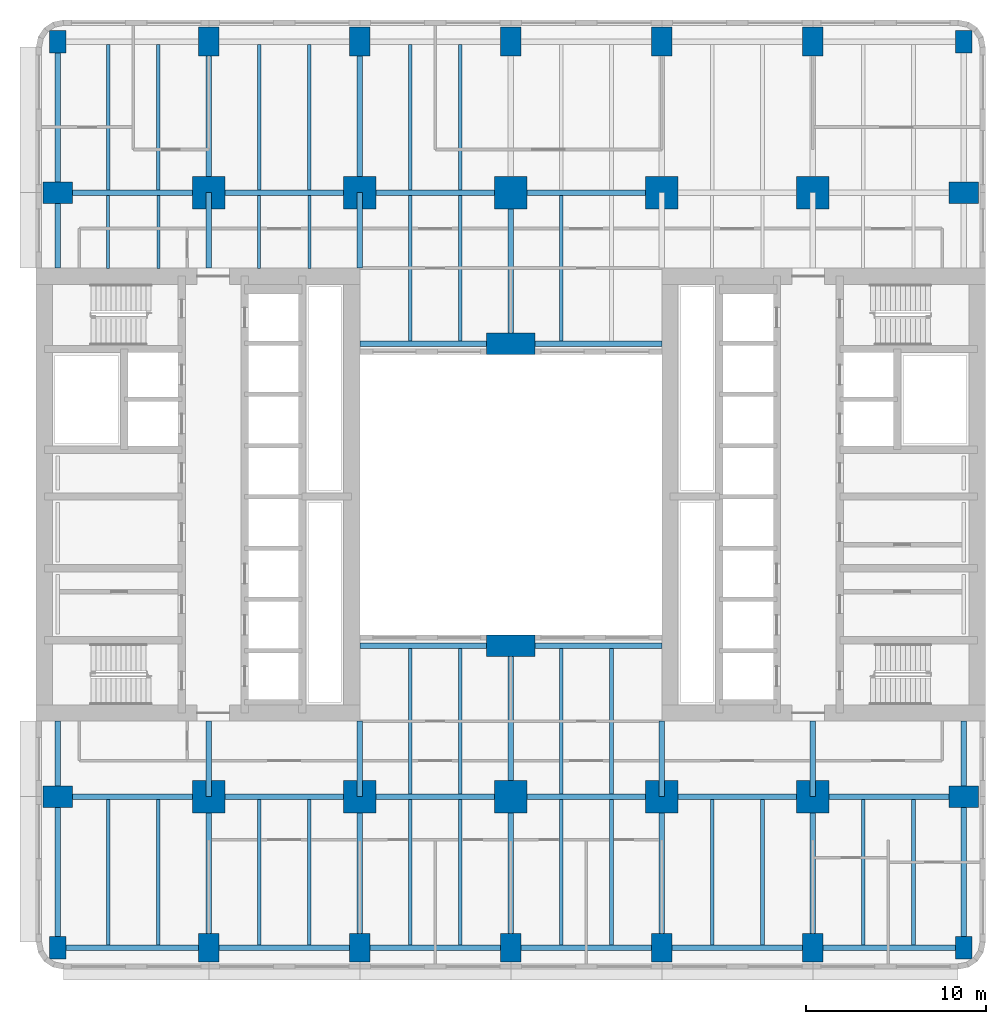
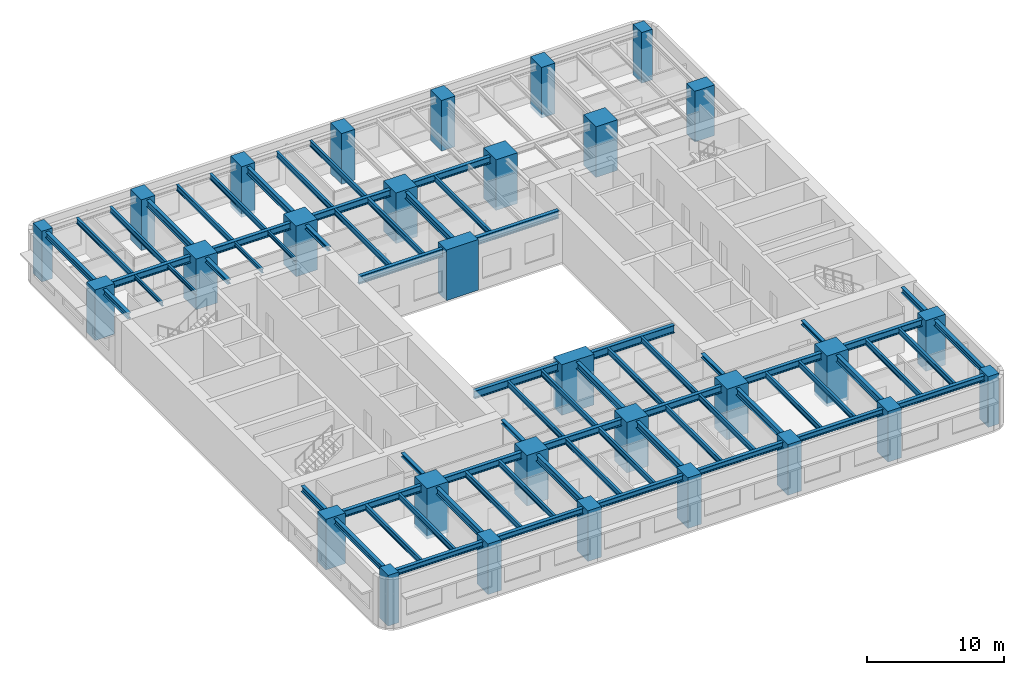
# One storey, part 1 of 14: 70 beams, 30 columns.
"""IFC4 building model written with IfcOpenShell, lengths in metres."""

from ifc_helpers import new_model, si_unit, direction, frame, origin, origin_2d, place, context, subcontext, project, spatial, rectangle, i_section, extrude, material, material_profile, profile_set, type_object, element, save


model = new_model("IFC4")

# Units and contexts
model_context = context("Model", 3, precision=1e-05, world=origin(), true_north=direction((0.0, 1.0)))
body_context = subcontext(model_context, "Body", "Model", "MODEL_VIEW")
ifc_project = project(units=[si_unit("LENGTHUNIT", "METRE"), si_unit("AREAUNIT", "SQUARE_METRE"), si_unit("VOLUMEUNIT", "CUBIC_METRE"), si_unit("PLANEANGLEUNIT", "RADIAN"), si_unit("MASSUNIT", "GRAM", prefix="KILO")], contexts=[model_context])

# Site, building, storey
site_placement = place(None, origin())
site = spatial("IfcSite", under=ifc_project, at=site_placement, CompositionType="ELEMENT")
building_placement = place(site_placement, origin())
building = spatial("IfcBuilding", under=site, at=building_placement, Name="Claustro Exchange Tower", CompositionType="ELEMENT")
storey_placement = place(building_placement, frame((0.0, 0.0, 54.89990234375)))
storey = spatial("IfcBuildingStorey", under=building, at=storey_placement, Name="L12", CompositionType="ELEMENT", Elevation=54.89990234375)

# Columns
ifc_material_1 = material(Name="Concrete HA-70 (C70/85)", Category="concrete")
ifc_material_profile_1 = material_profile(ifc_material_1, rectangle(XDim=1.800048828125, YDim=1.800048828125, at=origin_2d()), Name="RC 1800x1800")
ifc_profile_set_1 = profile_set([ifc_material_profile_1], Name="Concrete HA-70 (C70/85)")
column_type_1 = type_object("IfcColumnType", Name="C14 RC 1800x1800 HA-70 column", PredefinedType="COLUMN", material=ifc_profile_set_1)
for number, where, z_axis, x_axis, name in (
    (1, (8.39990234375, 8.39990234375, 0.0), (0.0, 0.0, 1.0), (1.0, 0.0, 0.0), "Column C14 2/B L12"),
    (2, (8.39990234375, 42.0, 0.0), (0.0, 0.0, 1.0), (1.0, 0.0, 0.0), "Column C14 2/F L12"),
    (3, (16.800048828125, 8.39990234375, 0.0), (0.0, 0.0, 1.0), (1.0, 0.0, 0.0), "Column C14 3/B L12"),
    (4, (16.800048828125, 42.0, 0.0), (0.0, 0.0, 1.0), (1.0, 0.0, 0.0), "Column C14 3/F L12"),
    (5, (25.199951171875, 8.39990234375, 0.0), (0.0, 0.0, 1.0), (1.0, 0.0, 0.0), "Column C14 4/B L12"),
    (6, (25.199951171875, 42.0, 0.0), (0.0, 0.0, 1.0), (1.0, 0.0, 0.0), "Column C14 4/F L12"),
    (7, (33.60009765625, 8.39990234375, 0.0), (0.0, 0.0, 1.0), (1.0, 0.0, 0.0), "Column C14 5/B L12"),
    (8, (33.60009765625, 42.0, 0.0), (0.0, 0.0, 1.0), (1.0, 0.0, 0.0), "Column C14 5/F L12"),
    (9, (42.0, 8.39990234375, 0.0), (0.0, 0.0, 1.0), (1.0, 0.0, 0.0), "Column C14 6/B L12"),
    (10, (42.0, 42.0, 0.0), (0.0, 0.0, 1.0), (1.0, 0.0, 0.0), "Column C14 6/F L12"),
):
    element("IfcColumn", number, at=place(storey_placement, frame(where, z_axis=z_axis, x_axis=x_axis)), inside=storey, type_object=column_type_1, Name=name, PredefinedType="COLUMN", context=body_context, shape_type="SweptSolid", body=[
        extrude(rectangle(XDim=1.800048828125, YDim=1.800048828125, at=origin_2d()), origin(), (0.0, 0.0, 1.0), 4.5),
    ])
ifc_material_2 = material(Name="Concrete HA-70 (C70/85)", Category="concrete")
ifc_material_profile_2 = material_profile(ifc_material_2, rectangle(XDim=1.199951171875, YDim=1.64990234375, at=origin_2d()), Name="RC 1200x1650")
ifc_profile_set_2 = profile_set([ifc_material_profile_2], Name="Concrete HA-70 (C70/85)")
column_type_2 = type_object("IfcColumnType", Name="C19 RC 1200x1650 HA-70 perimeter column", PredefinedType="COLUMN", material=ifc_profile_set_2)
for number, where, z_axis, x_axis, name in (
    (11, (0.0, 8.39990234375, 0.0), (0.0, 0.0, 1.0), (0.0, 1.0, 0.0), "Column C19 1/B L12"),
    (12, (0.0, 42.0, 0.0), (0.0, 0.0, 1.0), (0.0, 1.0, 0.0), "Column C19 1/F L12"),
    (13, (50.39990234375, 8.39990234375, 0.0), (0.0, 0.0, 1.0), (0.0, 1.0, 0.0), "Column C19 7/B L12"),
    (14, (50.39990234375, 42.0, 0.0), (0.0, 0.0, 1.0), (0.0, 1.0, 0.0), "Column C19 7/F L12"),
):
    element("IfcColumn", number, at=place(storey_placement, frame(where, z_axis=z_axis, x_axis=x_axis)), inside=storey, type_object=column_type_2, Name=name, PredefinedType="COLUMN", context=body_context, shape_type="SweptSolid", body=[
        extrude(rectangle(XDim=1.199951171875, YDim=1.64990234375, at=origin_2d()), origin(), (0.0, 0.0, 1.0), 4.5),
    ])
ifc_material_3 = material(Name="Concrete HA-70 (C70/85)", Category="concrete")
ifc_material_profile_3 = material_profile(ifc_material_3, rectangle(XDim=1.14990234375, YDim=1.60009765625, at=origin_2d()), Name="RC 1150x1600")
ifc_profile_set_3 = profile_set([ifc_material_profile_3], Name="Concrete HA-70 (C70/85)")
column_type_3 = type_object("IfcColumnType", Name="C20 RC 1150x1600 HA-70 perimeter column", PredefinedType="COLUMN", material=ifc_profile_set_3)
for number, where, z_axis, x_axis, name in (
    (15, (8.39990234375, 0.0, 0.0), (0.0, 0.0, 1.0), (1.0, 0.0, 0.0), "Column C20 2/A L12"),
    (16, (8.39990234375, 50.39990234375, 0.0), (0.0, 0.0, 1.0), (1.0, 0.0, 0.0), "Column C20 2/G L12"),
    (17, (16.800048828125, 0.0, 0.0), (0.0, 0.0, 1.0), (1.0, 0.0, 0.0), "Column C20 3/A L12"),
    (18, (16.800048828125, 50.39990234375, 0.0), (0.0, 0.0, 1.0), (1.0, 0.0, 0.0), "Column C20 3/G L12"),
    (19, (25.199951171875, 0.0, 0.0), (0.0, 0.0, 1.0), (1.0, 0.0, 0.0), "Column C20 4/A L12"),
    (20, (25.199951171875, 50.39990234375, 0.0), (0.0, 0.0, 1.0), (1.0, 0.0, 0.0), "Column C20 4/G L12"),
    (21, (33.60009765625, 0.0, 0.0), (0.0, 0.0, 1.0), (1.0, 0.0, 0.0), "Column C20 5/A L12"),
    (22, (33.60009765625, 50.39990234375, 0.0), (0.0, 0.0, 1.0), (1.0, 0.0, 0.0), "Column C20 5/G L12"),
    (23, (42.0, 0.0, 0.0), (0.0, 0.0, 1.0), (1.0, 0.0, 0.0), "Column C20 6/A L12"),
    (24, (42.0, 50.39990234375, 0.0), (0.0, 0.0, 1.0), (1.0, 0.0, 0.0), "Column C20 6/G L12"),
):
    element("IfcColumn", number, at=place(storey_placement, frame(where, z_axis=z_axis, x_axis=x_axis)), inside=storey, type_object=column_type_3, Name=name, PredefinedType="COLUMN", context=body_context, shape_type="SweptSolid", body=[
        extrude(rectangle(XDim=1.14990234375, YDim=1.60009765625, at=origin_2d()), origin(), (0.0, 0.0, 1.0), 4.5),
    ])
ifc_material_4 = material(Name="Concrete HA-70 (C70/85)", Category="concrete")
ifc_material_profile_4 = material_profile(ifc_material_4, rectangle(XDim=2.699951171875, YDim=1.199951171875, at=origin_2d()), Name="RC 2700x1200")
ifc_profile_set_4 = profile_set([ifc_material_profile_4], Name="Concrete HA-70 (C70/85)")
column_type_4 = type_object("IfcColumnType", Name="C30 RC 2700x1200 HA-70 light well column", PredefinedType="COLUMN", material=ifc_profile_set_4)
for number, where, z_axis, x_axis, name in (
    (25, (25.199951171875, 16.800048828125, 0.0), (0.0, 0.0, 1.0), (1.0, 0.0, 0.0), "Column C30 4/C L12"),
    (26, (25.199951171875, 33.60009765625, 0.0), (0.0, 0.0, 1.0), (1.0, 0.0, 0.0), "Column C30 4/E L12"),
):
    element("IfcColumn", number, at=place(storey_placement, frame(where, z_axis=z_axis, x_axis=x_axis)), inside=storey, type_object=column_type_4, Name=name, PredefinedType="COLUMN", context=body_context, shape_type="SweptSolid", body=[
        extrude(rectangle(XDim=2.699951171875, YDim=1.199951171875, at=origin_2d()), origin(), (0.0, 0.0, 1.0), 4.5),
    ])
ifc_material_5 = material(Name="Concrete HA-70 (C70/85)", Category="concrete")
ifc_material_profile_5 = material_profile(ifc_material_5, rectangle(XDim=0.89990234375, YDim=1.25, at=origin_2d()), Name="RC 900x1250")
ifc_profile_set_5 = profile_set([ifc_material_profile_5], Name="Concrete HA-70 (C70/85)")
column_type_5 = type_object("IfcColumnType", Name="C35 RC 900x1250 HA-70 corner column", PredefinedType="COLUMN", material=ifc_profile_set_5)
for number, where, z_axis, x_axis, name in (
    (27, (0.0, 0.0, 0.0), (0.0, 0.0, 1.0), (1.0, 0.0, 0.0), "Column C35 1/A L12"),
    (28, (0.0, 50.39990234375, 0.0), (0.0, 0.0, 1.0), (1.0, 0.0, 0.0), "Column C35 1/G L12"),
    (29, (50.39990234375, 0.0, 0.0), (0.0, 0.0, 1.0), (1.0, 0.0, 0.0), "Column C35 7/A L12"),
    (30, (50.39990234375, 50.39990234375, 0.0), (0.0, 0.0, 1.0), (1.0, 0.0, 0.0), "Column C35 7/G L12"),
):
    element("IfcColumn", number, at=place(storey_placement, frame(where, z_axis=z_axis, x_axis=x_axis)), inside=storey, type_object=column_type_5, Name=name, PredefinedType="COLUMN", context=body_context, shape_type="SweptSolid", body=[
        extrude(rectangle(XDim=0.89990234375, YDim=1.25, at=origin_2d()), origin(), (0.0, 0.0, 1.0), 4.5),
    ])

# Beams
ifc_material_6 = material(Name="Steel S355", Category="steel")
ifc_material_profile_6 = material_profile(ifc_material_6, i_section(OverallWidth=0.300048828125, OverallDepth=0.60009765625, WebThickness=0.015380859375, FlangeThickness=0.030029296875, FilletRadius=0.027099609375, at=origin_2d()), Name="HE 600 B")
ifc_profile_set_6 = profile_set([ifc_material_profile_6], Name="Steel S355")
beam_type_1 = type_object("IfcBeamType", Name="B1 HE 600 B floor girder", PredefinedType="BEAM", material=ifc_profile_set_6)
for number, where, z_axis, x_axis, name in (
    (31, (8.39990234375, 0.0, 4.0400390625), (0.0, 1.0, 0.0), (-1.0, 0.0, 0.0), "Beam B1 L13"),
    (32, (8.39990234375, 42.0, 4.0400390625), (0.0, 1.0, 0.0), (-1.0, 0.0, 0.0), "Beam B1 L13"),
    (33, (16.800048828125, 0.0, 4.0400390625), (0.0, 1.0, 0.0), (-1.0, 0.0, 0.0), "Beam B1 L13"),
    (34, (16.800048828125, 42.0, 4.0400390625), (0.0, 1.0, 0.0), (-1.0, 0.0, 0.0), "Beam B1 L13"),
    (35, (25.199951171875, 0.0, 4.0400390625), (0.0, 1.0, 0.0), (-1.0, 0.0, 0.0), "Beam B1 L13"),
):
    element("IfcBeam", number, at=place(storey_placement, frame(where, z_axis=z_axis, x_axis=x_axis)), inside=storey, type_object=beam_type_1, Name=name, PredefinedType="BEAM", context=body_context, shape_type="SweptSolid", body=[
        extrude(i_section(OverallWidth=0.300048828125, OverallDepth=0.60009765625, WebThickness=0.015380859375, FlangeThickness=0.030029296875, FilletRadius=0.027099609375, at=origin_2d()), origin(), (0.0, 0.0, 1.0), 8.39990234375),
    ])
beam_1_placement = place(storey_placement, frame((25.199951171875, 8.39990234375, 4.0400390625), z_axis=(0.0, 1.0, 0.0), x_axis=(-1.0, 0.0, 0.0)))
element("IfcBeam", 36, at=beam_1_placement, inside=storey, type_object=beam_type_1, Name="Beam B1 L13", PredefinedType="BEAM", context=body_context, shape_type="SweptSolid", body=[
    extrude(i_section(OverallWidth=0.300048828125, OverallDepth=0.60009765625, WebThickness=0.015380859375, FlangeThickness=0.030029296875, FilletRadius=0.027099609375, at=origin_2d()), origin(), (0.0, 0.0, 1.0), 8.400146484375),
])
for number, where, z_axis, x_axis, name in (
    (37, (25.199951171875, 33.60009765625, 4.0400390625), (0.0, 1.0, 0.0), (-1.0, 0.0, 0.0), "Beam B1 L13"),
    (38, (33.60009765625, 0.0, 4.0400390625), (0.0, 1.0, 0.0), (-1.0, 0.0, 0.0), "Beam B1 L13"),
    (39, (42.0, 0.0, 4.0400390625), (0.0, 1.0, 0.0), (-1.0, 0.0, 0.0), "Beam B1 L13"),
    (40, (0.0, 8.39990234375, 4.0400390625), (1.0, 0.0, 0.0), (0.0, 1.0, 0.0), "Beam B1 L13"),
):
    element("IfcBeam", number, at=place(storey_placement, frame(where, z_axis=z_axis, x_axis=x_axis)), inside=storey, type_object=beam_type_1, Name=name, PredefinedType="BEAM", context=body_context, shape_type="SweptSolid", body=[
        extrude(i_section(OverallWidth=0.300048828125, OverallDepth=0.60009765625, WebThickness=0.015380859375, FlangeThickness=0.030029296875, FilletRadius=0.027099609375, at=origin_2d()), origin(), (0.0, 0.0, 1.0), 8.39990234375),
    ])
beam_2_placement = place(storey_placement, frame((8.39990234375, 8.39990234375, 4.0400390625), z_axis=(1.0, 0.0, 0.0), x_axis=(0.0, 1.0, 0.0)))
element("IfcBeam", 41, at=beam_2_placement, inside=storey, type_object=beam_type_1, Name="Beam B1 L13", PredefinedType="BEAM", context=body_context, shape_type="SweptSolid", body=[
    extrude(i_section(OverallWidth=0.300048828125, OverallDepth=0.60009765625, WebThickness=0.015380859375, FlangeThickness=0.030029296875, FilletRadius=0.027099609375, at=origin_2d()), origin(), (0.0, 0.0, 1.0), 8.400146484375),
])
beam_3_placement = place(storey_placement, frame((16.800048828125, 8.39990234375, 4.0400390625), z_axis=(1.0, 0.0, 0.0), x_axis=(0.0, 1.0, 0.0)))
element("IfcBeam", 42, at=beam_3_placement, inside=storey, type_object=beam_type_1, Name="Beam B1 L13", PredefinedType="BEAM", context=body_context, shape_type="SweptSolid", body=[
    extrude(i_section(OverallWidth=0.300048828125, OverallDepth=0.60009765625, WebThickness=0.015380859375, FlangeThickness=0.030029296875, FilletRadius=0.027099609375, at=origin_2d()), origin(), (0.0, 0.0, 1.0), 8.39990234375),
])
beam_4_placement = place(storey_placement, frame((25.199951171875, 8.39990234375, 4.0400390625), z_axis=(1.0, 0.0, 0.0), x_axis=(0.0, 1.0, 0.0)))
element("IfcBeam", 43, at=beam_4_placement, inside=storey, type_object=beam_type_1, Name="Beam B1 L13", PredefinedType="BEAM", context=body_context, shape_type="SweptSolid", body=[
    extrude(i_section(OverallWidth=0.300048828125, OverallDepth=0.60009765625, WebThickness=0.015380859375, FlangeThickness=0.030029296875, FilletRadius=0.027099609375, at=origin_2d()), origin(), (0.0, 0.0, 1.0), 8.400146484375),
])
for number, where, z_axis, x_axis, name in (
    (44, (33.60009765625, 8.39990234375, 4.0400390625), (1.0, 0.0, 0.0), (0.0, 1.0, 0.0), "Beam B1 L13"),
    (45, (42.0, 8.39990234375, 4.0400390625), (1.0, 0.0, 0.0), (0.0, 1.0, 0.0), "Beam B1 L13"),
    (46, (0.0, 42.0, 4.0400390625), (1.0, 0.0, 0.0), (0.0, 1.0, 0.0), "Beam B1 L13"),
):
    element("IfcBeam", number, at=place(storey_placement, frame(where, z_axis=z_axis, x_axis=x_axis)), inside=storey, type_object=beam_type_1, Name=name, PredefinedType="BEAM", context=body_context, shape_type="SweptSolid", body=[
        extrude(i_section(OverallWidth=0.300048828125, OverallDepth=0.60009765625, WebThickness=0.015380859375, FlangeThickness=0.030029296875, FilletRadius=0.027099609375, at=origin_2d()), origin(), (0.0, 0.0, 1.0), 8.39990234375),
    ])
beam_5_placement = place(storey_placement, frame((8.39990234375, 42.0, 4.0400390625), z_axis=(1.0, 0.0, 0.0), x_axis=(0.0, 1.0, 0.0)))
element("IfcBeam", 47, at=beam_5_placement, inside=storey, type_object=beam_type_1, Name="Beam B1 L13", PredefinedType="BEAM", context=body_context, shape_type="SweptSolid", body=[
    extrude(i_section(OverallWidth=0.300048828125, OverallDepth=0.60009765625, WebThickness=0.015380859375, FlangeThickness=0.030029296875, FilletRadius=0.027099609375, at=origin_2d()), origin(), (0.0, 0.0, 1.0), 8.400146484375),
])
beam_6_placement = place(storey_placement, frame((16.800048828125, 42.0, 4.0400390625), z_axis=(1.0, 0.0, 0.0), x_axis=(0.0, 1.0, 0.0)))
element("IfcBeam", 48, at=beam_6_placement, inside=storey, type_object=beam_type_1, Name="Beam B1 L13", PredefinedType="BEAM", context=body_context, shape_type="SweptSolid", body=[
    extrude(i_section(OverallWidth=0.300048828125, OverallDepth=0.60009765625, WebThickness=0.015380859375, FlangeThickness=0.030029296875, FilletRadius=0.027099609375, at=origin_2d()), origin(), (0.0, 0.0, 1.0), 8.39990234375),
])
beam_7_placement = place(storey_placement, frame((25.199951171875, 42.0, 4.0400390625), z_axis=(1.0, 0.0, 0.0), x_axis=(0.0, 1.0, 0.0)))
element("IfcBeam", 49, at=beam_7_placement, inside=storey, type_object=beam_type_1, Name="Beam B1 L13", PredefinedType="BEAM", context=body_context, shape_type="SweptSolid", body=[
    extrude(i_section(OverallWidth=0.300048828125, OverallDepth=0.60009765625, WebThickness=0.015380859375, FlangeThickness=0.030029296875, FilletRadius=0.027099609375, at=origin_2d()), origin(), (0.0, 0.0, 1.0), 8.400146484375),
])
ifc_material_7 = material(Name="Steel S355", Category="steel")
ifc_material_profile_7 = material_profile(ifc_material_7, i_section(OverallWidth=0.300048828125, OverallDepth=0.68994140625, WebThickness=0.014404296875, FlangeThickness=0.027099609375, FilletRadius=0.027099609375, at=origin_2d()), Name="HE 700 A")
ifc_profile_set_7 = profile_set([ifc_material_profile_7], Name="Steel S355")
beam_type_2 = type_object("IfcBeamType", Name="B13 HE 700 A light well edge girder", PredefinedType="BEAM", material=ifc_profile_set_7)
beam_8_placement = place(storey_placement, frame((16.800048828125, 16.800048828125, 3.9951171875), z_axis=(1.0, 0.0, 0.0), x_axis=(0.0, 1.0, 0.0)))
element("IfcBeam", 50, at=beam_8_placement, inside=storey, type_object=beam_type_2, Name="Beam B13 L13", PredefinedType="BEAM", context=body_context, shape_type="SweptSolid", body=[
    extrude(i_section(OverallWidth=0.300048828125, OverallDepth=0.68994140625, WebThickness=0.014404296875, FlangeThickness=0.027099609375, FilletRadius=0.027099609375, at=origin_2d()), origin(), (0.0, 0.0, 1.0), 8.39990234375),
])
beam_9_placement = place(storey_placement, frame((25.199951171875, 16.800048828125, 3.9951171875), z_axis=(1.0, 0.0, 0.0), x_axis=(0.0, 1.0, 0.0)))
element("IfcBeam", 51, at=beam_9_placement, inside=storey, type_object=beam_type_2, Name="Beam B13 L13", PredefinedType="BEAM", context=body_context, shape_type="SweptSolid", body=[
    extrude(i_section(OverallWidth=0.300048828125, OverallDepth=0.68994140625, WebThickness=0.014404296875, FlangeThickness=0.027099609375, FilletRadius=0.027099609375, at=origin_2d()), origin(), (0.0, 0.0, 1.0), 8.400146484375),
])
beam_10_placement = place(storey_placement, frame((16.800048828125, 33.60009765625, 3.9951171875), z_axis=(1.0, 0.0, 0.0), x_axis=(0.0, 1.0, 0.0)))
element("IfcBeam", 52, at=beam_10_placement, inside=storey, type_object=beam_type_2, Name="Beam B13 L13", PredefinedType="BEAM", context=body_context, shape_type="SweptSolid", body=[
    extrude(i_section(OverallWidth=0.300048828125, OverallDepth=0.68994140625, WebThickness=0.014404296875, FlangeThickness=0.027099609375, FilletRadius=0.027099609375, at=origin_2d()), origin(), (0.0, 0.0, 1.0), 8.39990234375),
])
beam_11_placement = place(storey_placement, frame((25.199951171875, 33.60009765625, 3.9951171875), z_axis=(1.0, 0.0, 0.0), x_axis=(0.0, 1.0, 0.0)))
element("IfcBeam", 53, at=beam_11_placement, inside=storey, type_object=beam_type_2, Name="Beam B13 L13", PredefinedType="BEAM", context=body_context, shape_type="SweptSolid", body=[
    extrude(i_section(OverallWidth=0.300048828125, OverallDepth=0.68994140625, WebThickness=0.014404296875, FlangeThickness=0.027099609375, FilletRadius=0.027099609375, at=origin_2d()), origin(), (0.0, 0.0, 1.0), 8.400146484375),
])
ifc_material_8 = material(Name="Steel S355", Category="steel")
ifc_material_profile_8 = material_profile(ifc_material_8, i_section(OverallWidth=0.169921875, OverallDepth=0.360107421875, WebThickness=0.008056640625, FlangeThickness=0.0126953125, FilletRadius=0.01806640625, at=origin_2d()), Name="IPE 360")
ifc_profile_set_8 = profile_set([ifc_material_profile_8], Name="Steel S355")
beam_type_3 = type_object("IfcBeamType", Name="B16 IPE 360 short-span beam", PredefinedType="BEAM", material=ifc_profile_set_8)
for number, where, z_axis, x_axis, name in (
    (54, (2.800048828125, 37.7900390625, 4.16015625), (0.0, 1.0, 0.0), (-1.0, 0.0, 0.0), "Beam B16 L13"),
    (55, (5.60009765625, 37.7900390625, 4.16015625), (0.0, 1.0, 0.0), (-1.0, 0.0, 0.0), "Beam B16 L13"),
    (56, (11.199951171875, 37.7900390625, 4.16015625), (0.0, 1.0, 0.0), (-1.0, 0.0, 0.0), "Beam B16 L13"),
    (57, (14.0, 37.7900390625, 4.16015625), (0.0, 1.0, 0.0), (-1.0, 0.0, 0.0), "Beam B16 L13"),
):
    element("IfcBeam", number, at=place(storey_placement, frame(where, z_axis=z_axis, x_axis=x_axis)), inside=storey, type_object=beam_type_3, Name=name, PredefinedType="BEAM", context=body_context, shape_type="SweptSolid", body=[
        extrude(i_section(OverallWidth=0.169921875, OverallDepth=0.360107421875, WebThickness=0.008056640625, FlangeThickness=0.0126953125, FilletRadius=0.01806640625, at=origin_2d()), origin(), (0.0, 0.0, 1.0), 4.06005859375),
    ])
ifc_material_9 = material(Name="Steel S355", Category="steel")
ifc_material_profile_9 = material_profile(ifc_material_9, i_section(OverallWidth=0.199951171875, OverallDepth=0.5, WebThickness=0.01025390625, FlangeThickness=0.01611328125, FilletRadius=0.02099609375, at=origin_2d()), Name="IPE 500")
ifc_profile_set_9 = profile_set([ifc_material_profile_9], Name="Steel S355")
beam_type_4 = type_object("IfcBeamType", Name="B2 IPE 500 secondary beam", PredefinedType="BEAM", material=ifc_profile_set_9)
for number, where, z_axis, x_axis, name in (
    (58, (2.800048828125, 0.14990234375, 4.090087890625), (0.0, 1.0, 0.0), (-1.0, 0.0, 0.0), "Beam B2 L13"),
    (59, (5.60009765625, 0.14990234375, 4.090087890625), (0.0, 1.0, 0.0), (-1.0, 0.0, 0.0), "Beam B2 L13"),
    (60, (2.800048828125, 42.14990234375, 4.090087890625), (0.0, 1.0, 0.0), (-1.0, 0.0, 0.0), "Beam B2 L13"),
    (61, (5.60009765625, 42.14990234375, 4.090087890625), (0.0, 1.0, 0.0), (-1.0, 0.0, 0.0), "Beam B2 L13"),
    (62, (11.199951171875, 0.14990234375, 4.090087890625), (0.0, 1.0, 0.0), (-1.0, 0.0, 0.0), "Beam B2 L13"),
    (63, (14.0, 0.14990234375, 4.090087890625), (0.0, 1.0, 0.0), (-1.0, 0.0, 0.0), "Beam B2 L13"),
    (64, (11.199951171875, 42.14990234375, 4.090087890625), (0.0, 1.0, 0.0), (-1.0, 0.0, 0.0), "Beam B2 L13"),
    (65, (14.0, 42.14990234375, 4.090087890625), (0.0, 1.0, 0.0), (-1.0, 0.0, 0.0), "Beam B2 L13"),
    (66, (19.60009765625, 0.14990234375, 4.090087890625), (0.0, 1.0, 0.0), (-1.0, 0.0, 0.0), "Beam B2 L13"),
    (67, (22.39990234375, 0.14990234375, 4.090087890625), (0.0, 1.0, 0.0), (-1.0, 0.0, 0.0), "Beam B2 L13"),
):
    element("IfcBeam", number, at=place(storey_placement, frame(where, z_axis=z_axis, x_axis=x_axis)), inside=storey, type_object=beam_type_4, Name=name, PredefinedType="BEAM", context=body_context, shape_type="SweptSolid", body=[
        extrude(i_section(OverallWidth=0.199951171875, OverallDepth=0.5, WebThickness=0.01025390625, FlangeThickness=0.01611328125, FilletRadius=0.02099609375, at=origin_2d()), origin(), (0.0, 0.0, 1.0), 8.10009765625),
    ])
for number, where, z_axis, x_axis, name in (
    (68, (19.60009765625, 8.550048828125, 4.090087890625), (0.0, 1.0, 0.0), (-1.0, 0.0, 0.0), "Beam B2 L13"),
    (69, (22.39990234375, 8.550048828125, 4.090087890625), (0.0, 1.0, 0.0), (-1.0, 0.0, 0.0), "Beam B2 L13"),
):
    element("IfcBeam", number, at=place(storey_placement, frame(where, z_axis=z_axis, x_axis=x_axis)), inside=storey, type_object=beam_type_4, Name=name, PredefinedType="BEAM", context=body_context, shape_type="SweptSolid", body=[
        extrude(i_section(OverallWidth=0.199951171875, OverallDepth=0.5, WebThickness=0.01025390625, FlangeThickness=0.01611328125, FilletRadius=0.02099609375, at=origin_2d()), origin(), (0.0, 0.0, 1.0), 8.099853515625),
    ])
for number, where, z_axis, x_axis, name in (
    (70, (19.60009765625, 33.75, 4.090087890625), (0.0, 1.0, 0.0), (-1.0, 0.0, 0.0), "Beam B2 L13"),
    (71, (22.39990234375, 33.75, 4.090087890625), (0.0, 1.0, 0.0), (-1.0, 0.0, 0.0), "Beam B2 L13"),
    (72, (19.60009765625, 42.14990234375, 4.090087890625), (0.0, 1.0, 0.0), (-1.0, 0.0, 0.0), "Beam B2 L13"),
    (73, (22.39990234375, 42.14990234375, 4.090087890625), (0.0, 1.0, 0.0), (-1.0, 0.0, 0.0), "Beam B2 L13"),
    (74, (28.0, 0.14990234375, 4.090087890625), (0.0, 1.0, 0.0), (-1.0, 0.0, 0.0), "Beam B2 L13"),
    (75, (30.800048828125, 0.14990234375, 4.090087890625), (0.0, 1.0, 0.0), (-1.0, 0.0, 0.0), "Beam B2 L13"),
):
    element("IfcBeam", number, at=place(storey_placement, frame(where, z_axis=z_axis, x_axis=x_axis)), inside=storey, type_object=beam_type_4, Name=name, PredefinedType="BEAM", context=body_context, shape_type="SweptSolid", body=[
        extrude(i_section(OverallWidth=0.199951171875, OverallDepth=0.5, WebThickness=0.01025390625, FlangeThickness=0.01611328125, FilletRadius=0.02099609375, at=origin_2d()), origin(), (0.0, 0.0, 1.0), 8.10009765625),
    ])
for number, where, z_axis, x_axis, name in (
    (76, (28.0, 8.550048828125, 4.090087890625), (0.0, 1.0, 0.0), (-1.0, 0.0, 0.0), "Beam B2 L13"),
    (77, (30.800048828125, 8.550048828125, 4.090087890625), (0.0, 1.0, 0.0), (-1.0, 0.0, 0.0), "Beam B2 L13"),
):
    element("IfcBeam", number, at=place(storey_placement, frame(where, z_axis=z_axis, x_axis=x_axis)), inside=storey, type_object=beam_type_4, Name=name, PredefinedType="BEAM", context=body_context, shape_type="SweptSolid", body=[
        extrude(i_section(OverallWidth=0.199951171875, OverallDepth=0.5, WebThickness=0.01025390625, FlangeThickness=0.01611328125, FilletRadius=0.02099609375, at=origin_2d()), origin(), (0.0, 0.0, 1.0), 8.099853515625),
    ])
for number, where, z_axis, x_axis, name in (
    (78, (28.0, 33.75, 4.090087890625), (0.0, 1.0, 0.0), (-1.0, 0.0, 0.0), "Beam B2 L13"),
    (79, (36.39990234375, 0.14990234375, 4.090087890625), (0.0, 1.0, 0.0), (-1.0, 0.0, 0.0), "Beam B2 L13"),
    (80, (39.199951171875, 0.14990234375, 4.090087890625), (0.0, 1.0, 0.0), (-1.0, 0.0, 0.0), "Beam B2 L13"),
    (81, (44.800048828125, 0.14990234375, 4.090087890625), (0.0, 1.0, 0.0), (-1.0, 0.0, 0.0), "Beam B2 L13"),
    (82, (47.60009765625, 0.14990234375, 4.090087890625), (0.0, 1.0, 0.0), (-1.0, 0.0, 0.0), "Beam B2 L13"),
):
    element("IfcBeam", number, at=place(storey_placement, frame(where, z_axis=z_axis, x_axis=x_axis)), inside=storey, type_object=beam_type_4, Name=name, PredefinedType="BEAM", context=body_context, shape_type="SweptSolid", body=[
        extrude(i_section(OverallWidth=0.199951171875, OverallDepth=0.5, WebThickness=0.01025390625, FlangeThickness=0.01611328125, FilletRadius=0.02099609375, at=origin_2d()), origin(), (0.0, 0.0, 1.0), 8.10009765625),
    ])
ifc_material_10 = material(Name="Steel S355", Category="steel")
ifc_material_profile_10 = material_profile(ifc_material_10, i_section(OverallWidth=0.300048828125, OverallDepth=0.360107421875, WebThickness=0.012451171875, FlangeThickness=0.0224609375, FilletRadius=0.027099609375, at=origin_2d()), Name="HE 360 B")
ifc_profile_set_10 = profile_set([ifc_material_profile_10], Name="Steel S355")
beam_type_5 = type_object("IfcBeamType", Name="B29 HE 360 B column to core link beam", PredefinedType="BEAM", material=ifc_profile_set_10)
beam_12_placement = place(storey_placement, frame((8.39990234375, 8.39990234375, 4.16015625), z_axis=(0.0, 1.0, 0.0), x_axis=(-1.0, 0.0, 0.0)))
element("IfcBeam", 83, at=beam_12_placement, inside=storey, type_object=beam_type_5, Name="Beam B29 L13", PredefinedType="BEAM", context=body_context, shape_type="SweptSolid", body=[
    extrude(i_section(OverallWidth=0.300048828125, OverallDepth=0.360107421875, WebThickness=0.012451171875, FlangeThickness=0.0224609375, FilletRadius=0.027099609375, at=origin_2d()), origin(), (0.0, 0.0, 1.0), 4.2001953125),
])
beam_13_placement = place(storey_placement, frame((8.39990234375, 37.800048828125, 4.16015625), z_axis=(0.0, 1.0, 0.0), x_axis=(-1.0, 0.0, 0.0)))
element("IfcBeam", 84, at=beam_13_placement, inside=storey, type_object=beam_type_5, Name="Beam B29 L13", PredefinedType="BEAM", context=body_context, shape_type="SweptSolid", body=[
    extrude(i_section(OverallWidth=0.300048828125, OverallDepth=0.360107421875, WebThickness=0.012451171875, FlangeThickness=0.0224609375, FilletRadius=0.027099609375, at=origin_2d()), origin(), (0.0, 0.0, 1.0), 4.199951171875),
])
beam_14_placement = place(storey_placement, frame((16.800048828125, 8.39990234375, 4.16015625), z_axis=(0.0, 1.0, 0.0), x_axis=(-1.0, 0.0, 0.0)))
element("IfcBeam", 85, at=beam_14_placement, inside=storey, type_object=beam_type_5, Name="Beam B29 L13", PredefinedType="BEAM", context=body_context, shape_type="SweptSolid", body=[
    extrude(i_section(OverallWidth=0.300048828125, OverallDepth=0.360107421875, WebThickness=0.012451171875, FlangeThickness=0.0224609375, FilletRadius=0.027099609375, at=origin_2d()), origin(), (0.0, 0.0, 1.0), 4.2001953125),
])
beam_15_placement = place(storey_placement, frame((16.800048828125, 37.800048828125, 4.16015625), z_axis=(0.0, 1.0, 0.0), x_axis=(-1.0, 0.0, 0.0)))
element("IfcBeam", 86, at=beam_15_placement, inside=storey, type_object=beam_type_5, Name="Beam B29 L13", PredefinedType="BEAM", context=body_context, shape_type="SweptSolid", body=[
    extrude(i_section(OverallWidth=0.300048828125, OverallDepth=0.360107421875, WebThickness=0.012451171875, FlangeThickness=0.0224609375, FilletRadius=0.027099609375, at=origin_2d()), origin(), (0.0, 0.0, 1.0), 4.199951171875),
])
for number, where, z_axis, x_axis, name in (
    (87, (33.60009765625, 8.39990234375, 4.16015625), (0.0, 1.0, 0.0), (-1.0, 0.0, 0.0), "Beam B29 L13"),
    (88, (42.0, 8.39990234375, 4.16015625), (0.0, 1.0, 0.0), (-1.0, 0.0, 0.0), "Beam B29 L13"),
):
    element("IfcBeam", number, at=place(storey_placement, frame(where, z_axis=z_axis, x_axis=x_axis)), inside=storey, type_object=beam_type_5, Name=name, PredefinedType="BEAM", context=body_context, shape_type="SweptSolid", body=[
        extrude(i_section(OverallWidth=0.300048828125, OverallDepth=0.360107421875, WebThickness=0.012451171875, FlangeThickness=0.0224609375, FilletRadius=0.027099609375, at=origin_2d()), origin(), (0.0, 0.0, 1.0), 4.2001953125),
    ])
ifc_material_11 = material(Name="Steel S355", Category="steel")
ifc_material_profile_11 = material_profile(ifc_material_11, i_section(OverallWidth=0.300048828125, OverallDepth=0.5, WebThickness=0.014404296875, FlangeThickness=0.028076171875, FilletRadius=0.027099609375, at=origin_2d()), Name="HE 500 B")
ifc_profile_set_11 = profile_set([ifc_material_profile_11], Name="Steel S355")
beam_type_6 = type_object("IfcBeamType", Name="B3 HE 500 B spandrel edge girder", PredefinedType="SPANDREL", material=ifc_profile_set_11)
beam_16_placement = place(storey_placement, frame((0.0, 0.0, 4.090087890625), z_axis=(0.0, 1.0, 0.0), x_axis=(-1.0, 0.0, 0.0)))
element("IfcBeam", 89, at=beam_16_placement, inside=storey, type_object=beam_type_6, Name="Beam B3 L13", PredefinedType="SPANDREL", context=body_context, shape_type="SweptSolid", body=[
    extrude(i_section(OverallWidth=0.300048828125, OverallDepth=0.5, WebThickness=0.014404296875, FlangeThickness=0.028076171875, FilletRadius=0.027099609375, at=origin_2d()), origin(), (0.0, 0.0, 1.0), 8.39990234375),
])
beam_17_placement = place(storey_placement, frame((0.0, 8.39990234375, 4.090087890625), z_axis=(0.0, 1.0, 0.0), x_axis=(-1.0, 0.0, 0.0)))
element("IfcBeam", 90, at=beam_17_placement, inside=storey, type_object=beam_type_6, Name="Beam B3 L13", PredefinedType="SPANDREL", context=body_context, shape_type="SweptSolid", body=[
    extrude(i_section(OverallWidth=0.300048828125, OverallDepth=0.5, WebThickness=0.014404296875, FlangeThickness=0.028076171875, FilletRadius=0.027099609375, at=origin_2d()), origin(), (0.0, 0.0, 1.0), 4.2001953125),
])
beam_18_placement = place(storey_placement, frame((0.0, 37.800048828125, 4.090087890625), z_axis=(0.0, 1.0, 0.0), x_axis=(-1.0, 0.0, 0.0)))
element("IfcBeam", 91, at=beam_18_placement, inside=storey, type_object=beam_type_6, Name="Beam B3 L13", PredefinedType="SPANDREL", context=body_context, shape_type="SweptSolid", body=[
    extrude(i_section(OverallWidth=0.300048828125, OverallDepth=0.5, WebThickness=0.014404296875, FlangeThickness=0.028076171875, FilletRadius=0.027099609375, at=origin_2d()), origin(), (0.0, 0.0, 1.0), 4.199951171875),
])
for number, where, z_axis, x_axis, name in (
    (92, (0.0, 42.0, 4.090087890625), (0.0, 1.0, 0.0), (-1.0, 0.0, 0.0), "Beam B3 L13"),
    (93, (50.39990234375, 0.0, 4.090087890625), (0.0, 1.0, 0.0), (-1.0, 0.0, 0.0), "Beam B3 L13"),
):
    element("IfcBeam", number, at=place(storey_placement, frame(where, z_axis=z_axis, x_axis=x_axis)), inside=storey, type_object=beam_type_6, Name=name, PredefinedType="SPANDREL", context=body_context, shape_type="SweptSolid", body=[
        extrude(i_section(OverallWidth=0.300048828125, OverallDepth=0.5, WebThickness=0.014404296875, FlangeThickness=0.028076171875, FilletRadius=0.027099609375, at=origin_2d()), origin(), (0.0, 0.0, 1.0), 8.39990234375),
    ])
beam_19_placement = place(storey_placement, frame((50.39990234375, 8.39990234375, 4.090087890625), z_axis=(0.0, 1.0, 0.0), x_axis=(-1.0, 0.0, 0.0)))
element("IfcBeam", 94, at=beam_19_placement, inside=storey, type_object=beam_type_6, Name="Beam B3 L13", PredefinedType="SPANDREL", context=body_context, shape_type="SweptSolid", body=[
    extrude(i_section(OverallWidth=0.300048828125, OverallDepth=0.5, WebThickness=0.014404296875, FlangeThickness=0.028076171875, FilletRadius=0.027099609375, at=origin_2d()), origin(), (0.0, 0.0, 1.0), 4.2001953125),
])
beam_20_placement = place(storey_placement, frame((0.0, 0.0, 4.090087890625), z_axis=(1.0, 0.0, 0.0), x_axis=(0.0, 1.0, 0.0)))
element("IfcBeam", 95, at=beam_20_placement, inside=storey, type_object=beam_type_6, Name="Beam B3 L13", PredefinedType="SPANDREL", context=body_context, shape_type="SweptSolid", body=[
    extrude(i_section(OverallWidth=0.300048828125, OverallDepth=0.5, WebThickness=0.014404296875, FlangeThickness=0.028076171875, FilletRadius=0.027099609375, at=origin_2d()), origin(), (0.0, 0.0, 1.0), 8.39990234375),
])
beam_21_placement = place(storey_placement, frame((8.39990234375, 0.0, 4.090087890625), z_axis=(1.0, 0.0, 0.0), x_axis=(0.0, 1.0, 0.0)))
element("IfcBeam", 96, at=beam_21_placement, inside=storey, type_object=beam_type_6, Name="Beam B3 L13", PredefinedType="SPANDREL", context=body_context, shape_type="SweptSolid", body=[
    extrude(i_section(OverallWidth=0.300048828125, OverallDepth=0.5, WebThickness=0.014404296875, FlangeThickness=0.028076171875, FilletRadius=0.027099609375, at=origin_2d()), origin(), (0.0, 0.0, 1.0), 8.400146484375),
])
beam_22_placement = place(storey_placement, frame((16.800048828125, 0.0, 4.090087890625), z_axis=(1.0, 0.0, 0.0), x_axis=(0.0, 1.0, 0.0)))
element("IfcBeam", 97, at=beam_22_placement, inside=storey, type_object=beam_type_6, Name="Beam B3 L13", PredefinedType="SPANDREL", context=body_context, shape_type="SweptSolid", body=[
    extrude(i_section(OverallWidth=0.300048828125, OverallDepth=0.5, WebThickness=0.014404296875, FlangeThickness=0.028076171875, FilletRadius=0.027099609375, at=origin_2d()), origin(), (0.0, 0.0, 1.0), 8.39990234375),
])
beam_23_placement = place(storey_placement, frame((25.199951171875, 0.0, 4.090087890625), z_axis=(1.0, 0.0, 0.0), x_axis=(0.0, 1.0, 0.0)))
element("IfcBeam", 98, at=beam_23_placement, inside=storey, type_object=beam_type_6, Name="Beam B3 L13", PredefinedType="SPANDREL", context=body_context, shape_type="SweptSolid", body=[
    extrude(i_section(OverallWidth=0.300048828125, OverallDepth=0.5, WebThickness=0.014404296875, FlangeThickness=0.028076171875, FilletRadius=0.027099609375, at=origin_2d()), origin(), (0.0, 0.0, 1.0), 8.400146484375),
])
for number, where, z_axis, x_axis, name in (
    (99, (33.60009765625, 0.0, 4.090087890625), (1.0, 0.0, 0.0), (0.0, 1.0, 0.0), "Beam B3 L13"),
    (100, (42.0, 0.0, 4.090087890625), (1.0, 0.0, 0.0), (0.0, 1.0, 0.0), "Beam B3 L13"),
):
    element("IfcBeam", number, at=place(storey_placement, frame(where, z_axis=z_axis, x_axis=x_axis)), inside=storey, type_object=beam_type_6, Name=name, PredefinedType="SPANDREL", context=body_context, shape_type="SweptSolid", body=[
        extrude(i_section(OverallWidth=0.300048828125, OverallDepth=0.5, WebThickness=0.014404296875, FlangeThickness=0.028076171875, FilletRadius=0.027099609375, at=origin_2d()), origin(), (0.0, 0.0, 1.0), 8.39990234375),
    ])

save(model, "model.ifc")
